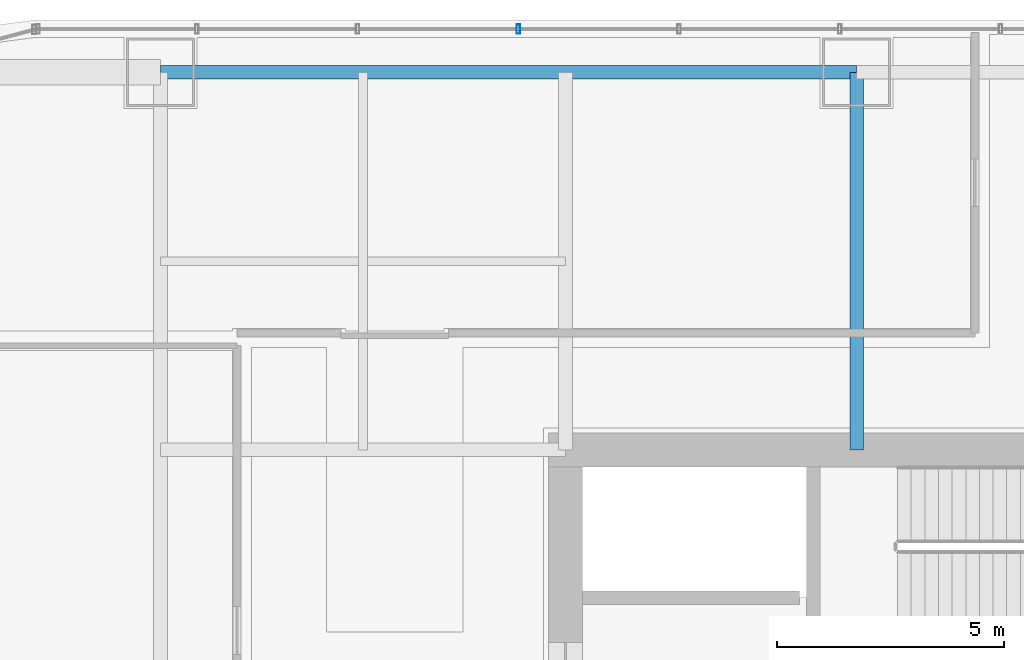
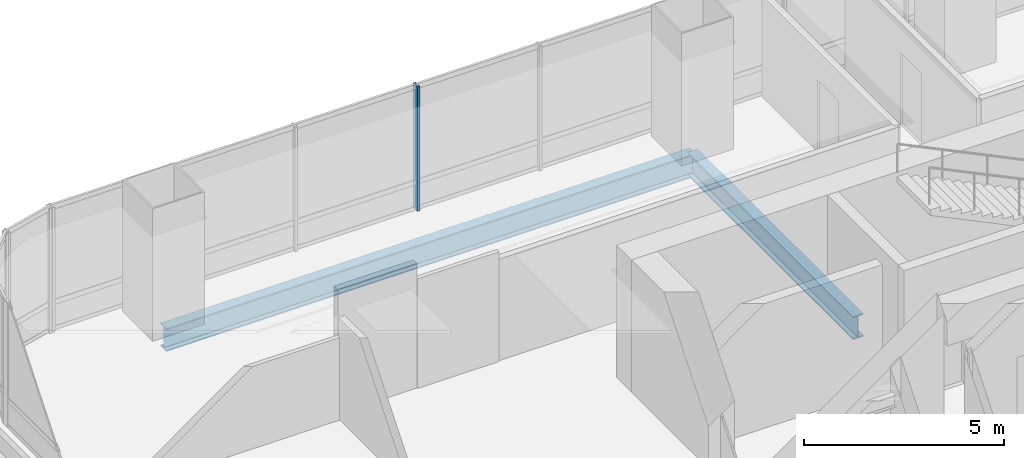
# One storey, part 20 of 36: 2 beams, 1 member, 1 element without a shape of its own.
"""IFC4 building model written with IfcOpenShell, lengths in metres."""

from ifc_helpers import new_model, si_unit, direction, frame, origin, origin_2d, place, context, subcontext, project, spatial, hollow_rectangle, i_section, extrude, material, material_profile, profile_set, type_object, element, aggregate, save


model = new_model("IFC4")

# Units and contexts
model_context = context("Model", 3, precision=1e-05, world=origin(), true_north=direction((0.0, 1.0)))
body_context = subcontext(model_context, "Body", "Model", "MODEL_VIEW")
ifc_project = project(units=[si_unit("LENGTHUNIT", "METRE"), si_unit("AREAUNIT", "SQUARE_METRE"), si_unit("VOLUMEUNIT", "CUBIC_METRE"), si_unit("PLANEANGLEUNIT", "RADIAN"), si_unit("MASSUNIT", "GRAM", prefix="KILO")], contexts=[model_context])

# Site, building, storey
site_placement = place(None, origin())
site = spatial("IfcSite", under=ifc_project, at=site_placement, CompositionType="ELEMENT")
building_placement = place(site_placement, origin())
building = spatial("IfcBuilding", under=site, at=building_placement, Name="Punatoya Terracotta Tower", CompositionType="ELEMENT")
storey_placement = place(building_placement, frame((0.0, 0.0, 40.35009765625)))
storey = spatial("IfcBuildingStorey", under=building, at=storey_placement, Name="L08", CompositionType="ELEMENT", Elevation=40.35009765625)

# Beams
ifc_material_1 = material(Name="Steel S355", Category="steel")
ifc_material_profile_1 = material_profile(ifc_material_1, i_section(OverallWidth=0.300048828125, OverallDepth=0.699951171875, WebThickness=0.01708984375, FlangeThickness=0.031982421875, FilletRadius=0.01806640625, at=origin_2d()))
ifc_profile_set_1 = profile_set([ifc_material_profile_1], Name="Steel S355")
beam_type = type_object("IfcBeamType", Name="BM-PRI-700", PredefinedType="BEAM", material=ifc_profile_set_1)
beam_1_placement = place(storey_placement, frame((-19.10009765625, 17.5, -0.590087890625), z_axis=(1.0, 0.0, 0.0), x_axis=(0.0, 1.0, 0.0)))
element("IfcBeam", 1, at=beam_1_placement, inside=storey, type_object=beam_type, Name="BM-L08-RG-N1", PredefinedType="BEAM", context=body_context, shape_type="SweptSolid", body=[
    extrude(i_section(OverallWidth=0.300048828125, OverallDepth=0.699951171875, WebThickness=0.01708984375, FlangeThickness=0.031982421875, FilletRadius=0.01806640625, at=origin_2d()), origin(), (0.0, 0.0, 1.0), 15.300048828125),
])
beam_2_placement = place(storey_placement, frame((-3.800048828125, 9.199951171875, -0.590087890625), z_axis=(0.0, 1.0, 0.0), x_axis=(-1.0, 0.0, 0.0)))
element("IfcBeam", 2, at=beam_2_placement, inside=storey, type_object=beam_type, Name="BM-L08-PR-N2", PredefinedType="BEAM", context=body_context, shape_type="SweptSolid", body=[
    extrude(i_section(OverallWidth=0.300048828125, OverallDepth=0.699951171875, WebThickness=0.01708984375, FlangeThickness=0.031982421875, FilletRadius=0.01806640625, at=origin_2d()), origin(), (0.0, 0.0, 1.0), 8.300048828125),
])

# Curtain wall, member
ifc_material_2 = material(Name="Aluminium 6063-T6 + Double Low-E Glass", Category="aluminium")
curtain_wall_type = type_object("IfcCurtainWallType", Name="CW-M1", PredefinedType="NOTDEFINED", material=ifc_material_2)
curtain_wall_placement = place(storey_placement, origin())
curtain_wall = element("IfcCurtainWall", 3, at=curtain_wall_placement, inside=storey, type_object=curtain_wall_type, Name="L08 Curtain Wall CW-L08-N09-1", PredefinedType="NOTDEFINED")
ifc_material_3 = material(Name="Aluminium 6063-T6", Category="aluminium")
ifc_material_profile_2 = material_profile(ifc_material_3, hollow_rectangle(XDim=0.074951171875, YDim=0.2099609375, WallThickness=0.00439453125, at=origin_2d()))
ifc_profile_set_2 = profile_set([ifc_material_profile_2], Name="Aluminium 6063-T6")
member_type = type_object("IfcMemberType", Name="CW-MUL-M1", PredefinedType="MULLION", material=ifc_profile_set_2)
member_placement = place(storey_placement, frame((-11.235107421875, 18.449951171875, 0.0), z_axis=(0.0, 0.0, 1.0), x_axis=(1.0, 0.0, 0.0)))
member = element("IfcMember", 4, at=member_placement, type_object=member_type, Name="CW-L08-N09-1 Mullion 08", PredefinedType="MULLION", context=body_context, shape_type="SweptSolid", body=[
    extrude(hollow_rectangle(XDim=0.074951171875, YDim=0.2099609375, WallThickness=0.00439453125, at=origin_2d()), origin(), (0.0, 0.0, 1.0), 3.809814453125),
])
aggregate(curtain_wall, [member])

save(model, "model.ifc")
